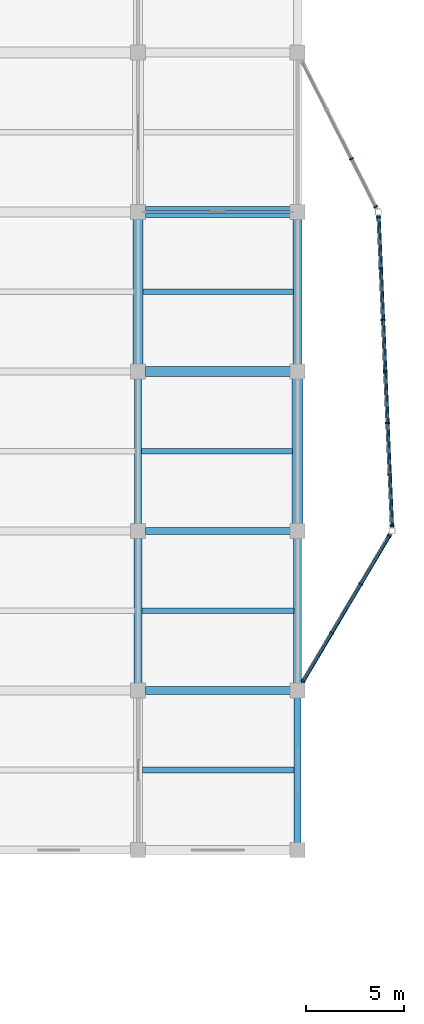
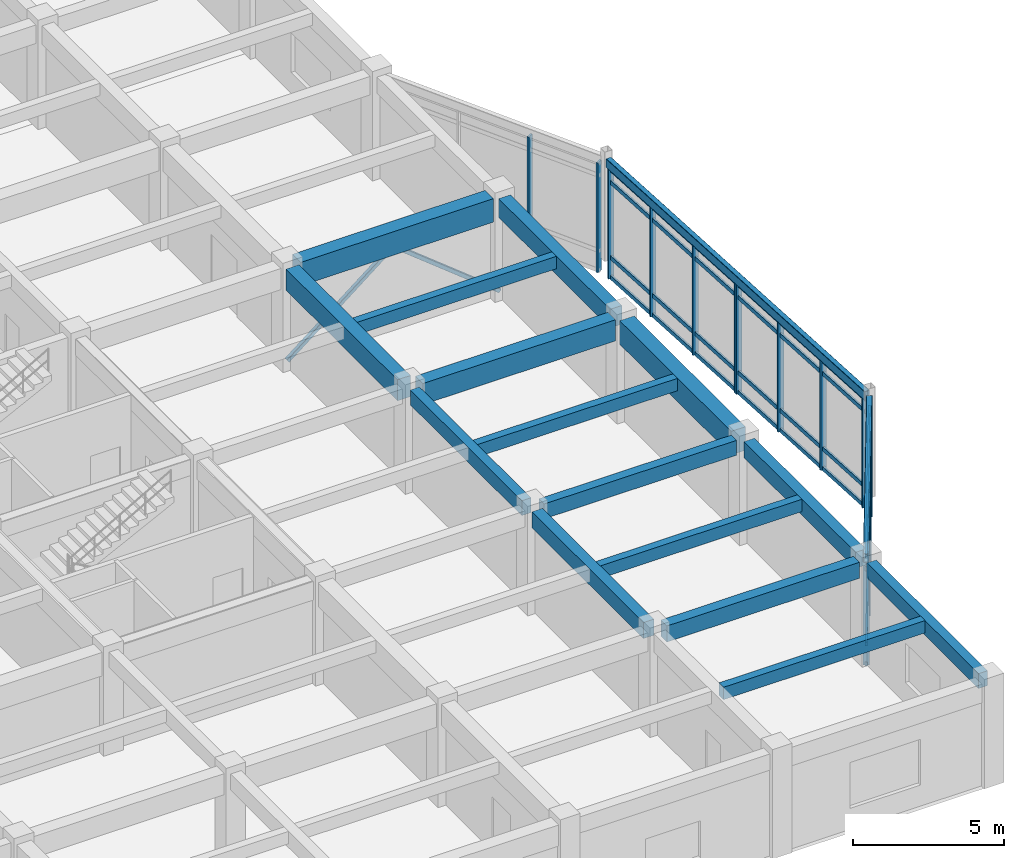
# One storey, part 38 of 89: 28 members, 17 beams, 4 elements without a shape of their own.
"""IFC4 building model written with IfcOpenShell, lengths in metres."""

from ifc_helpers import new_model, si_unit, direction, frame, origin, origin_2d, place, context, subcontext, project, spatial, rectangle, hollow_rectangle, extrude, material, layer, layer_set, material_profile, profile_set, type_object, element, aggregate, save


model = new_model("IFC4")

# Units and contexts
model_context = context("Model", 3, precision=1e-05, world=origin(), true_north=direction((0.0, 1.0)))
body_context = subcontext(model_context, "Body", "Model", "MODEL_VIEW")
ifc_project = project(units=[si_unit("LENGTHUNIT", "METRE"), si_unit("AREAUNIT", "SQUARE_METRE"), si_unit("VOLUMEUNIT", "CUBIC_METRE"), si_unit("PLANEANGLEUNIT", "RADIAN"), si_unit("MASSUNIT", "GRAM", prefix="KILO")], contexts=[model_context])

# Site, building, storey
site_placement = place(None, origin())
site = spatial("IfcSite", under=ifc_project, at=site_placement, CompositionType="ELEMENT")
building_placement = place(site_placement, origin())
building = spatial("IfcBuilding", under=site, at=building_placement, Name="Vaudrelin Polytechnic", CompositionType="ELEMENT")
storey_placement = place(building_placement, frame((0.0, 0.0, 9.68994140625)))
storey = spatial("IfcBuildingStorey", under=building, at=storey_placement, Name="L02", CompositionType="ELEMENT", Elevation=9.68994140625)

# Beams
ifc_material_1 = material(Name="Concrete 40 MPa", Category="concrete")
ifc_material_profile_1 = material_profile(ifc_material_1, rectangle(XDim=0.35009765625, YDim=0.60009765625, at=origin_2d()), Name="RC350x600")
ifc_profile_set_1 = profile_set([ifc_material_profile_1], Name="Concrete 40 MPa")
beam_type_1 = type_object("IfcBeamType", Name="BM-BM-RC3560", PredefinedType="BEAM", material=ifc_profile_set_1)
for number, where, z_axis, x_axis, name in (
    (1, (162.0, 32.760009765625, 3.840087890625), (0.0, 1.0, 0.0), (-1.0, 0.0, 0.0), "L02 Y-beam 21-5"),
    (2, (170.10009765625, 16.56005859375, 3.840087890625), (0.0, 1.0, 0.0), (-1.0, 0.0, 0.0), "L02 Y-beam 22-3"),
):
    element("IfcBeam", number, at=place(storey_placement, frame(where, z_axis=z_axis, x_axis=x_axis)), inside=storey, type_object=beam_type_1, Name=name, PredefinedType="BEAM", context=body_context, shape_type="SweptSolid", body=[
        extrude(rectangle(XDim=0.35009765625, YDim=0.60009765625, at=origin_2d()), origin(), (0.0, 0.0, 1.0), 7.3798828125),
    ])
beam_1_placement = place(storey_placement, frame((162.37109375, 32.39990234375, 3.840087890625), z_axis=(1.0, 0.0, 0.0), x_axis=(0.0, 1.0, 0.0)))
element("IfcBeam", 3, at=beam_1_placement, inside=storey, type_object=beam_type_1, Name="L02 X-beam 21-5", PredefinedType="BEAM", context=body_context, shape_type="SweptSolid", body=[
    extrude(rectangle(XDim=0.35009765625, YDim=0.60009765625, at=origin_2d()), origin(), (0.0, 0.0, 1.0), 7.35791015625),
])
ifc_material_profile_2 = material_profile(ifc_material_1, rectangle(XDim=0.39990234375, YDim=0.64990234375, at=origin_2d()), Name="RC400x650")
ifc_profile_set_2 = profile_set([ifc_material_profile_2], Name="Concrete 40 MPa")
beam_type_2 = type_object("IfcBeamType", Name="BM-BM-RC4065", PredefinedType="BEAM", material=ifc_profile_set_2)
beam_2_placement = place(storey_placement, frame((162.0, 24.659912109375, 3.81494140625), z_axis=(0.0, 1.0, 0.0), x_axis=(-1.0, 0.0, 0.0)))
element("IfcBeam", 4, at=beam_2_placement, inside=storey, type_object=beam_type_2, Name="L02 Y-beam 21-4", PredefinedType="BEAM", context=body_context, shape_type="SweptSolid", body=[
    extrude(rectangle(XDim=0.39990234375, YDim=0.64990234375, at=origin_2d()), origin(), (0.0, 0.0, 1.0), 7.380126953125),
])
beam_3_placement = place(storey_placement, frame((162.37109375, 24.300048828125, 3.81494140625), z_axis=(1.0, 0.0, 0.0), x_axis=(0.0, 1.0, 0.0)))
element("IfcBeam", 5, at=beam_3_placement, inside=storey, type_object=beam_type_2, Name="L02 X-beam 21-4", PredefinedType="BEAM", context=body_context, shape_type="SweptSolid", body=[
    extrude(rectangle(XDim=0.39990234375, YDim=0.64990234375, at=origin_2d()), origin(), (0.0, 0.0, 1.0), 7.35791015625),
])
ifc_material_profile_3 = material_profile(ifc_material_1, rectangle(XDim=0.449951171875, YDim=0.75, at=origin_2d()), Name="RC450x750")
ifc_profile_set_3 = profile_set([ifc_material_profile_3], Name="Concrete 40 MPa")
beam_type_3 = type_object("IfcBeamType", Name="BM-BM-RC4575", PredefinedType="BEAM", material=ifc_profile_set_3)
beam_4_placement = place(storey_placement, frame((170.10009765625, 40.860107421875, 3.76513671875), z_axis=(0.0, 1.0, 0.0), x_axis=(-1.0, 0.0, 0.0)))
element("IfcBeam", 6, at=beam_4_placement, inside=storey, type_object=beam_type_3, Name="L02 Y-beam 22-6", PredefinedType="BEAM", context=body_context, shape_type="SweptSolid", body=[
    extrude(rectangle(XDim=0.449951171875, YDim=0.75, at=origin_2d()), origin(), (0.0, 0.0, 1.0), 7.3798828125),
])
ifc_material_profile_4 = material_profile(ifc_material_1, rectangle(XDim=0.5, YDim=0.85009765625, at=origin_2d()), Name="RC500x850")
ifc_profile_set_4 = profile_set([ifc_material_profile_4], Name="Concrete 40 MPa")
beam_type_4 = type_object("IfcBeamType", Name="BM-BM-RC5085", PredefinedType="BEAM", material=ifc_profile_set_4)
beam_5_placement = place(storey_placement, frame((162.0, 40.860107421875, 3.715087890625), z_axis=(0.0, 1.0, 0.0), x_axis=(-1.0, 0.0, 0.0)))
element("IfcBeam", 7, at=beam_5_placement, inside=storey, type_object=beam_type_4, Name="L02 Y-beam 21-6", PredefinedType="BEAM", context=body_context, shape_type="SweptSolid", body=[
    extrude(rectangle(XDim=0.5, YDim=0.85009765625, at=origin_2d()), origin(), (0.0, 0.0, 1.0), 7.3798828125),
])
beam_6_placement = place(storey_placement, frame((162.37109375, 40.5, 3.715087890625), z_axis=(1.0, 0.0, 0.0), x_axis=(0.0, 1.0, 0.0)))
element("IfcBeam", 8, at=beam_6_placement, inside=storey, type_object=beam_type_4, Name="L02 X-beam 21-6", PredefinedType="BEAM", context=body_context, shape_type="SweptSolid", body=[
    extrude(rectangle(XDim=0.5, YDim=0.85009765625, at=origin_2d()), origin(), (0.0, 0.0, 1.0), 7.35791015625),
])
ifc_material_2 = material(Name="Concrete 50 MPa", Category="concrete")
ifc_material_profile_5 = material_profile(ifc_material_2, rectangle(XDim=0.550048828125, YDim=0.949951171875, at=origin_2d()), Name="RC550x950")
ifc_profile_set_5 = profile_set([ifc_material_profile_5], Name="Concrete 50 MPa")
beam_type_5 = type_object("IfcBeamType", Name="BM-BM-RC5595", PredefinedType="BEAM", material=ifc_profile_set_5)
beam_7_placement = place(storey_placement, frame((170.10009765625, 32.760009765625, 3.6650390625), z_axis=(0.0, 1.0, 0.0), x_axis=(-1.0, 0.0, 0.0)))
element("IfcBeam", 9, at=beam_7_placement, inside=storey, type_object=beam_type_5, Name="L02 Y-beam 22-5", PredefinedType="BEAM", context=body_context, shape_type="SweptSolid", body=[
    extrude(rectangle(XDim=0.550048828125, YDim=0.949951171875, at=origin_2d()), origin(), (0.0, 0.0, 1.0), 7.3798828125),
])
beam_8_placement = place(storey_placement, frame((162.37109375, 48.60009765625, 3.6650390625), z_axis=(1.0, 0.0, 0.0), x_axis=(0.0, 1.0, 0.0)))
element("IfcBeam", 10, at=beam_8_placement, inside=storey, type_object=beam_type_5, Name="L02 X-beam 21-7", PredefinedType="BEAM", context=body_context, shape_type="SweptSolid", body=[
    extrude(rectangle(XDim=0.550048828125, YDim=0.949951171875, at=origin_2d()), origin(), (0.0, 0.0, 1.0), 7.35791015625),
])
ifc_material_profile_6 = material_profile(ifc_material_1, rectangle(XDim=0.300048828125, YDim=0.5, at=origin_2d()), Name="RC300x500")
ifc_profile_set_6 = profile_set([ifc_material_profile_6], Name="Concrete 40 MPa")
beam_type_6 = type_object("IfcBeamType", Name="BM-JS-RC3050", PredefinedType="JOIST", material=ifc_profile_set_6)
for number, where, z_axis, x_axis, name in (
    (11, (162.220947265625, 20.25, 3.89013671875), (1.0, 0.0, 0.0), (0.0, 1.0, 0.0), "L02 floor joist 21-3"),
    (12, (162.196044921875, 28.35009765625, 3.89013671875), (1.0, 0.0, 0.0), (0.0, 1.0, 0.0), "L02 floor joist 21-4"),
):
    element("IfcBeam", number, at=place(storey_placement, frame(where, z_axis=z_axis, x_axis=x_axis)), inside=storey, type_object=beam_type_6, Name=name, PredefinedType="JOIST", context=body_context, shape_type="SweptSolid", body=[
        extrude(rectangle(XDim=0.300048828125, YDim=0.5, at=origin_2d()), origin(), (0.0, 0.0, 1.0), 7.7080078125),
    ])
beam_9_placement = place(storey_placement, frame((162.1708984375, 36.449951171875, 3.89013671875), z_axis=(1.0, 0.0, 0.0), x_axis=(0.0, 1.0, 0.0)))
element("IfcBeam", 13, at=beam_9_placement, inside=storey, type_object=beam_type_6, Name="L02 floor joist 21-5", PredefinedType="JOIST", context=body_context, shape_type="SweptSolid", body=[
    extrude(rectangle(XDim=0.300048828125, YDim=0.5, at=origin_2d()), origin(), (0.0, 0.0, 1.0), 7.658203125),
])
beam_10_placement = place(storey_placement, frame((162.24609375, 44.550048828125, 3.89013671875), z_axis=(1.0, 0.0, 0.0), x_axis=(0.0, 1.0, 0.0)))
element("IfcBeam", 14, at=beam_10_placement, inside=storey, type_object=beam_type_6, Name="L02 floor joist 21-6", PredefinedType="JOIST", context=body_context, shape_type="SweptSolid", body=[
    extrude(rectangle(XDim=0.300048828125, YDim=0.5, at=origin_2d()), origin(), (0.0, 0.0, 1.0), 7.6328125),
])
ifc_material_3 = material(Name="Steel CSA G40.21 350WT", Category="steel")
ifc_material_profile_7 = material_profile(ifc_material_3, hollow_rectangle(XDim=0.202880859375, YDim=0.35595703125, WallThickness=0.0126953125, InnerFilletRadius=0.0126953125, OuterFilletRadius=0.025390625, at=origin_2d()), Name="HSS356x203x12.7")
ifc_profile_set_7 = profile_set([ifc_material_profile_7], Name="Steel CSA G40.21 350WT")
beam_type_7 = type_object("IfcBeamType", Name="BM-SP-HSS35", PredefinedType="SPANDREL", material=ifc_profile_set_7)
beam_11_placement = place(storey_placement, frame((170.17138671875, 24.42041015625, 3.962158203125), z_axis=(0.509799460083, 0.860293270053, 0.0), x_axis=(-0.860293270053, 0.509799460083, 0.0)))
element("IfcBeam", 15, at=beam_11_placement, inside=storey, type_object=beam_type_7, Name="Sculptural edge beam L02 E_OR1_B1", PredefinedType="SPANDREL", context=body_context, shape_type="SweptSolid", body=[
    extrude(hollow_rectangle(XDim=0.202880859375, YDim=0.35595703125, WallThickness=0.0126953125, InnerFilletRadius=0.0126953125, OuterFilletRadius=0.025390625, at=origin_2d()), origin(), (0.0, 0.0, 1.0), 9.135498046875),
])
beam_12_placement = place(storey_placement, frame((174.89404296875, 32.539794921875, 3.962158203125), z_axis=(-0.043173936739, 0.999067570881, 0.0), x_axis=(-0.999067570881, -0.043173936739, 0.0)))
element("IfcBeam", 16, at=beam_12_placement, inside=storey, type_object=beam_type_7, Name="Sculptural edge beam L02 E_OR1_B2", PredefinedType="SPANDREL", context=body_context, shape_type="SweptSolid", body=[
    extrude(hollow_rectangle(XDim=0.202880859375, YDim=0.35595703125, WallThickness=0.0126953125, InnerFilletRadius=0.0126953125, OuterFilletRadius=0.025390625, at=origin_2d()), origin(), (0.0, 0.0, 1.0), 15.935302734375),
])
ifc_material_profile_8 = material_profile(ifc_material_1, rectangle(XDim=0.39990234375, YDim=0.64990234375, at=origin_2d()), Name="RC400x650")
ifc_profile_set_8 = profile_set([ifc_material_profile_8], Name="Concrete 40 MPa")
beam_type_8 = type_object("IfcBeamType", Name="BM-SP-RC4065", PredefinedType="SPANDREL", material=ifc_profile_set_8)
beam_13_placement = place(storey_placement, frame((170.10009765625, 24.659912109375, 3.81494140625), z_axis=(0.0, 1.0, 0.0), x_axis=(-1.0, 0.0, 0.0)))
element("IfcBeam", 17, at=beam_13_placement, inside=storey, type_object=beam_type_8, Name="L02 Y-beam 22-4", PredefinedType="SPANDREL", context=body_context, shape_type="SweptSolid", body=[
    extrude(rectangle(XDim=0.39990234375, YDim=0.64990234375, at=origin_2d()), origin(), (0.0, 0.0, 1.0), 7.380126953125),
])

# Members
ifc_material_4 = material(Name="Steel CSA G40.21 350W", Category="steel")
ifc_material_profile_9 = material_profile(ifc_material_4, hollow_rectangle(XDim=0.152099609375, YDim=0.152099609375, WallThickness=0.008056640625, InnerFilletRadius=0.008056640625, OuterFilletRadius=0.01611328125, at=origin_2d()), Name="HSS152x152x8.0")
ifc_profile_set_9 = profile_set([ifc_material_profile_9], Name="Steel CSA G40.21 350W")
member_type_1 = type_object("IfcMemberType", Name="MEM-BF-D01", PredefinedType="BRACE", material=ifc_profile_set_9)
for number, where, z_axis, x_axis, name in (
    (18, (162.0, 48.60009765625, 0.150146484375), (0.782757244137, 0.0, 0.622327162151), (0.0, 1.0, 0.0), "Chevron brace BF-12A"),
    (19, (170.10009765625, 48.60009765625, 0.150146484375), (-0.782757244137, 0.0, 0.622327162151), (0.0, -1.0, 0.0), "Chevron brace BF-12B"),
):
    element("IfcMember", number, at=place(storey_placement, frame(where, z_axis=z_axis, x_axis=x_axis)), inside=storey, type_object=member_type_1, Name=name, PredefinedType="BRACE", context=body_context, shape_type="SweptSolid", body=[
        extrude(hollow_rectangle(XDim=0.152099609375, YDim=0.152099609375, WallThickness=0.008056640625, InnerFilletRadius=0.008056640625, OuterFilletRadius=0.01611328125, at=origin_2d()), origin(), (0.0, 0.0, 1.0), 5.174072265625),
    ])

# Curtain wall, members
ifc_material_5 = material(Name="Thermally broken anodised aluminium AA 6063-T6 and low-e triple glazing", Category="aluminium")
ifc_layer = layer(ifc_material_5, 0.199951171875)
ifc_layer_set = layer_set([ifc_layer], Name="Thermally broken anodised aluminium AA 6063-T6 and low-e triple glazing")
curtain_wall_type = type_object("IfcCurtainWallType", Name="CW-CW-LAB", PredefinedType="USERDEFINED", material=ifc_layer_set)
curtain_wall_1_placement = place(storey_placement, origin())
curtain_wall_1 = element("IfcCurtainWall", 20, at=curtain_wall_1_placement, inside=storey, type_object=curtain_wall_type, Name="Curtain wall L02 E_OR1_1_0", ObjectType="CURTAIN WALL", PredefinedType="USERDEFINED")
ifc_material_6 = material(Name="Anodised aluminium AA 6063-T6", Category="aluminium")
ifc_material_profile_10 = material_profile(ifc_material_6, rectangle(XDim=0.074951171875, YDim=0.219970703125, at=origin_2d()), Name="CWM-75x220")
ifc_profile_set_10 = profile_set([ifc_material_profile_10], Name="Anodised aluminium AA 6063-T6")
member_type_2 = type_object("IfcMemberType", Name="MEM-CWM-220", PredefinedType="MULLION", material=ifc_profile_set_10)
member_1_placement = place(storey_placement, frame((170.385986328125, 24.782470703125, -0.6298828125), z_axis=(0.0, 0.0, 1.0), x_axis=(0.509796356978, 0.860295108908, 0.0)))
member_1 = element("IfcMember", 21, at=member_1_placement, type_object=member_type_2, Name="E_OR1_1_0 mullion 1", PredefinedType="MULLION", context=body_context, shape_type="SweptSolid", body=[
    extrude(rectangle(XDim=0.074951171875, YDim=0.219970703125, at=origin_2d()), origin(), (0.0, 0.0, 1.0), 4.43994140625),
])
member_2_placement = place(storey_placement, frame((171.83251953125, 27.223388671875, -0.6298828125), z_axis=(0.0, 0.0, 1.0), x_axis=(0.509796356978, 0.860295108908, 0.0)))
member_2 = element("IfcMember", 22, at=member_2_placement, type_object=member_type_2, Name="E_OR1_1_0 mullion 2", PredefinedType="MULLION", context=body_context, shape_type="SweptSolid", body=[
    extrude(rectangle(XDim=0.074951171875, YDim=0.219970703125, at=origin_2d()), origin(), (0.0, 0.0, 1.0), 4.43994140625),
])
member_3_placement = place(storey_placement, frame((173.29931640625, 29.698974609375, -0.6298828125), z_axis=(0.0, 0.0, 1.0), x_axis=(0.509796356978, 0.860295108908, 0.0)))
member_3 = element("IfcMember", 23, at=member_3_placement, type_object=member_type_2, Name="E_OR1_1_0 mullion 3", PredefinedType="MULLION", context=body_context, shape_type="SweptSolid", body=[
    extrude(rectangle(XDim=0.074951171875, YDim=0.219970703125, at=origin_2d()), origin(), (0.0, 0.0, 1.0), 4.43994140625),
])
member_4_placement = place(storey_placement, frame((174.745849609375, 32.139892578125, -0.6298828125), z_axis=(0.0, 0.0, 1.0), x_axis=(0.509796356978, 0.860295108908, 0.0)))
member_4 = element("IfcMember", 24, at=member_4_placement, type_object=member_type_2, Name="E_OR1_1_0 mullion 4", PredefinedType="MULLION", context=body_context, shape_type="SweptSolid", body=[
    extrude(rectangle(XDim=0.074951171875, YDim=0.219970703125, at=origin_2d()), origin(), (0.0, 0.0, 1.0), 4.43994140625),
])

curtain_wall_2_placement = place(storey_placement, origin())
curtain_wall_2 = element("IfcCurtainWall", 25, at=curtain_wall_2_placement, inside=storey, type_object=curtain_wall_type, Name="Curtain wall L02 E_OR1_2_0", ObjectType="CURTAIN WALL", PredefinedType="USERDEFINED")
member_5_placement = place(storey_placement, frame((174.887939453125, 32.677490234375, -0.6298828125), z_axis=(0.0, 0.0, 1.0), x_axis=(-0.043164270821, 0.99906798854, 0.0)))
member_5 = element("IfcMember", 26, at=member_5_placement, type_object=member_type_2, Name="E_OR1_2_0 mullion 1", PredefinedType="MULLION", context=body_context, shape_type="SweptSolid", body=[
    extrude(rectangle(XDim=0.074951171875, YDim=0.219970703125, at=origin_2d()), origin(), (0.0, 0.0, 1.0), 4.43994140625),
])
member_6_placement = place(storey_placement, frame((174.776611328125, 35.25830078125, -0.6298828125), z_axis=(0.0, 0.0, 1.0), x_axis=(-0.043164270821, 0.99906798854, 0.0)))
member_6 = element("IfcMember", 27, at=member_6_placement, type_object=member_type_2, Name="E_OR1_2_0 mullion 2", PredefinedType="MULLION", context=body_context, shape_type="SweptSolid", body=[
    extrude(rectangle(XDim=0.074951171875, YDim=0.219970703125, at=origin_2d()), origin(), (0.0, 0.0, 1.0), 4.43994140625),
])
member_7_placement = place(storey_placement, frame((174.6630859375, 37.879150390625, -0.6298828125), z_axis=(0.0, 0.0, 1.0), x_axis=(-0.043164270821, 0.99906798854, 0.0)))
member_7 = element("IfcMember", 28, at=member_7_placement, type_object=member_type_2, Name="E_OR1_2_0 mullion 3", PredefinedType="MULLION", context=body_context, shape_type="SweptSolid", body=[
    extrude(rectangle(XDim=0.074951171875, YDim=0.219970703125, at=origin_2d()), origin(), (0.0, 0.0, 1.0), 4.43994140625),
])
member_8_placement = place(storey_placement, frame((174.5517578125, 40.4599609375, -0.6298828125), z_axis=(0.0, 0.0, 1.0), x_axis=(-0.043164270821, 0.99906798854, 0.0)))
member_8 = element("IfcMember", 29, at=member_8_placement, type_object=member_type_2, Name="E_OR1_2_0 mullion 4", PredefinedType="MULLION", context=body_context, shape_type="SweptSolid", body=[
    extrude(rectangle(XDim=0.074951171875, YDim=0.219970703125, at=origin_2d()), origin(), (0.0, 0.0, 1.0), 4.43994140625),
])

curtain_wall_3_placement = place(storey_placement, origin())
curtain_wall_3 = element("IfcCurtainWall", 30, at=curtain_wall_3_placement, inside=storey, type_object=curtain_wall_type, Name="Curtain wall L02 E_OR1_2_1", ObjectType="CURTAIN WALL", PredefinedType="USERDEFINED")
member_9_placement = place(storey_placement, frame((174.54833984375, 40.5400390625, -0.6298828125), z_axis=(0.0, 0.0, 1.0), x_axis=(-0.043164270821, 0.99906798854, 0.0)))
member_9 = element("IfcMember", 31, at=member_9_placement, type_object=member_type_2, Name="E_OR1_2_1 mullion 1", PredefinedType="MULLION", context=body_context, shape_type="SweptSolid", body=[
    extrude(rectangle(XDim=0.074951171875, YDim=0.219970703125, at=origin_2d()), origin(), (0.0, 0.0, 1.0), 4.43994140625),
])
member_10_placement = place(storey_placement, frame((174.436767578125, 43.120849609375, -0.6298828125), z_axis=(0.0, 0.0, 1.0), x_axis=(-0.043164270821, 0.99906798854, 0.0)))
member_10 = element("IfcMember", 32, at=member_10_placement, type_object=member_type_2, Name="E_OR1_2_1 mullion 2", PredefinedType="MULLION", context=body_context, shape_type="SweptSolid", body=[
    extrude(rectangle(XDim=0.074951171875, YDim=0.219970703125, at=origin_2d()), origin(), (0.0, 0.0, 1.0), 4.43994140625),
])
member_11_placement = place(storey_placement, frame((174.323486328125, 45.74169921875, -0.6298828125), z_axis=(0.0, 0.0, 1.0), x_axis=(-0.043164270821, 0.99906798854, 0.0)))
member_11 = element("IfcMember", 33, at=member_11_placement, type_object=member_type_2, Name="E_OR1_2_1 mullion 3", PredefinedType="MULLION", context=body_context, shape_type="SweptSolid", body=[
    extrude(rectangle(XDim=0.074951171875, YDim=0.219970703125, at=origin_2d()), origin(), (0.0, 0.0, 1.0), 4.43994140625),
])
member_12_placement = place(storey_placement, frame((174.2119140625, 48.322509765625, -0.6298828125), z_axis=(0.0, 0.0, 1.0), x_axis=(-0.043164270821, 0.99906798854, 0.0)))
member_12 = element("IfcMember", 34, at=member_12_placement, type_object=member_type_2, Name="E_OR1_2_1 mullion 4", PredefinedType="MULLION", context=body_context, shape_type="SweptSolid", body=[
    extrude(rectangle(XDim=0.074951171875, YDim=0.219970703125, at=origin_2d()), origin(), (0.0, 0.0, 1.0), 4.43994140625),
])

curtain_wall_4_placement = place(storey_placement, origin())
curtain_wall_4 = element("IfcCurtainWall", 35, at=curtain_wall_4_placement, inside=storey, type_object=curtain_wall_type, Name="Curtain wall L02 E_OR1_3_0", ObjectType="CURTAIN WALL", PredefinedType="USERDEFINED")
member_13_placement = place(storey_placement, frame((174.06640625, 48.864013671875, -0.6298828125), z_axis=(0.0, 0.0, 1.0), x_axis=(-0.451608607789, 0.892216153951, 0.0)))
member_13 = element("IfcMember", 36, at=member_13_placement, type_object=member_type_2, Name="E_OR1_3_0 mullion 1", PredefinedType="MULLION", context=body_context, shape_type="SweptSolid", body=[
    extrude(rectangle(XDim=0.074951171875, YDim=0.219970703125, at=origin_2d()), origin(), (0.0, 0.0, 1.0), 4.43994140625),
])
member_14_placement = place(storey_placement, frame((172.832275390625, 51.302001953125, -0.6298828125), z_axis=(0.0, 0.0, 1.0), x_axis=(-0.451608607789, 0.892216153951, 0.0)))
member_14 = element("IfcMember", 37, at=member_14_placement, type_object=member_type_2, Name="E_OR1_3_0 mullion 2", PredefinedType="MULLION", context=body_context, shape_type="SweptSolid", body=[
    extrude(rectangle(XDim=0.074951171875, YDim=0.219970703125, at=origin_2d()), origin(), (0.0, 0.0, 1.0), 4.43994140625),
])
aggregate(curtain_wall_4, [member_13, member_14])

# Member
ifc_material_profile_11 = material_profile(ifc_material_6, rectangle(XDim=0.074951171875, YDim=0.1650390625, at=origin_2d()), Name="CWT-75x165")
ifc_profile_set_11 = profile_set([ifc_material_profile_11], Name="Anodised aluminium AA 6063-T6")
member_type_3 = type_object("IfcMemberType", Name="MEM-CWT-165", PredefinedType="USERDEFINED", material=ifc_profile_set_11)
member_15_placement = place(storey_placement, frame((170.365478515625, 24.748046875, -0.579833984375), z_axis=(0.509813243699, 0.860285101899, 0.0), x_axis=(-0.860285101899, 0.509813243699, 0.0)))
member_15 = element("IfcMember", 38, at=member_15_placement, type_object=member_type_3, Name="E_OR1_1_0 transom 1", ObjectType="TRANSOM", PredefinedType="USERDEFINED", context=body_context, shape_type="SweptSolid", body=[
    extrude(rectangle(XDim=0.074951171875, YDim=0.1650390625, at=origin_2d()), origin(), (0.0, 0.0, 1.0), 8.63232421875),
])

member_16_placement = place(storey_placement, frame((170.365478515625, 24.748046875, 0.219970703125), z_axis=(0.509813243699, 0.860285101899, 0.0), x_axis=(-0.860285101899, 0.509813243699, 0.0)))
member_16 = element("IfcMember", 39, at=member_16_placement, type_object=member_type_3, Name="E_OR1_1_0 transom 2", ObjectType="TRANSOM", PredefinedType="USERDEFINED", context=body_context, shape_type="SweptSolid", body=[
    extrude(rectangle(XDim=0.074951171875, YDim=0.1650390625, at=origin_2d()), origin(), (0.0, 0.0, 1.0), 8.63232421875),
])

member_17_placement = place(storey_placement, frame((170.365478515625, 24.748046875, 3.260009765625), z_axis=(0.509813243699, 0.860285101899, 0.0), x_axis=(-0.860285101899, 0.509813243699, 0.0)))
member_17 = element("IfcMember", 40, at=member_17_placement, type_object=member_type_3, Name="E_OR1_1_0 transom 3", ObjectType="TRANSOM", PredefinedType="USERDEFINED", context=body_context, shape_type="SweptSolid", body=[
    extrude(rectangle(XDim=0.074951171875, YDim=0.1650390625, at=origin_2d()), origin(), (0.0, 0.0, 1.0), 8.63232421875),
])

member_18_placement = place(storey_placement, frame((170.365478515625, 24.748046875, 3.760009765625), z_axis=(0.509813243699, 0.860285101899, 0.0), x_axis=(-0.860285101899, 0.509813243699, 0.0)))
member_18 = element("IfcMember", 41, at=member_18_placement, type_object=member_type_3, Name="E_OR1_1_0 transom 4", ObjectType="TRANSOM", PredefinedType="USERDEFINED", context=body_context, shape_type="SweptSolid", body=[
    extrude(rectangle(XDim=0.074951171875, YDim=0.1650390625, at=origin_2d()), origin(), (0.0, 0.0, 1.0), 8.63232421875),
])

aggregate(curtain_wall_1, [member_1, member_2, member_3, member_4, member_15, member_16, member_17, member_18])

member_19_placement = place(storey_placement, frame((174.8896484375, 32.637451171875, -0.579833984375), z_axis=(-0.043151818671, 0.999068526451, 0.0), x_axis=(-0.999068526451, -0.043151818671, 0.0)))
member_19 = element("IfcMember", 42, at=member_19_placement, type_object=member_type_3, Name="E_OR1_2_0 transom 1", ObjectType="TRANSOM", PredefinedType="USERDEFINED", context=body_context, shape_type="SweptSolid", body=[
    extrude(rectangle(XDim=0.074951171875, YDim=0.1650390625, at=origin_2d()), origin(), (0.0, 0.0, 1.0), 7.869873046875),
])

member_20_placement = place(storey_placement, frame((174.8896484375, 32.637451171875, 0.219970703125), z_axis=(-0.043151818671, 0.999068526451, 0.0), x_axis=(-0.999068526451, -0.043151818671, 0.0)))
member_20 = element("IfcMember", 43, at=member_20_placement, type_object=member_type_3, Name="E_OR1_2_0 transom 2", ObjectType="TRANSOM", PredefinedType="USERDEFINED", context=body_context, shape_type="SweptSolid", body=[
    extrude(rectangle(XDim=0.074951171875, YDim=0.1650390625, at=origin_2d()), origin(), (0.0, 0.0, 1.0), 7.869873046875),
])

member_21_placement = place(storey_placement, frame((174.8896484375, 32.637451171875, 3.260009765625), z_axis=(-0.043151818671, 0.999068526451, 0.0), x_axis=(-0.999068526451, -0.043151818671, 0.0)))
member_21 = element("IfcMember", 44, at=member_21_placement, type_object=member_type_3, Name="E_OR1_2_0 transom 3", ObjectType="TRANSOM", PredefinedType="USERDEFINED", context=body_context, shape_type="SweptSolid", body=[
    extrude(rectangle(XDim=0.074951171875, YDim=0.1650390625, at=origin_2d()), origin(), (0.0, 0.0, 1.0), 7.869873046875),
])

member_22_placement = place(storey_placement, frame((174.8896484375, 32.637451171875, 3.760009765625), z_axis=(-0.043151818671, 0.999068526451, 0.0), x_axis=(-0.999068526451, -0.043151818671, 0.0)))
member_22 = element("IfcMember", 45, at=member_22_placement, type_object=member_type_3, Name="E_OR1_2_0 transom 4", ObjectType="TRANSOM", PredefinedType="USERDEFINED", context=body_context, shape_type="SweptSolid", body=[
    extrude(rectangle(XDim=0.074951171875, YDim=0.1650390625, at=origin_2d()), origin(), (0.0, 0.0, 1.0), 7.869873046875),
])

aggregate(curtain_wall_2, [member_5, member_6, member_7, member_8, member_19, member_20, member_21, member_22])

member_23_placement = place(storey_placement, frame((174.550048828125, 40.5, -0.579833984375), z_axis=(-0.043182782999, 0.999067188558, 0.0), x_axis=(-0.999067188558, -0.043182782999, 0.0)))
member_23 = element("IfcMember", 46, at=member_23_placement, type_object=member_type_3, Name="E_OR1_2_1 transom 1", ObjectType="TRANSOM", PredefinedType="USERDEFINED", context=body_context, shape_type="SweptSolid", body=[
    extrude(rectangle(XDim=0.074951171875, YDim=0.1650390625, at=origin_2d()), origin(), (0.0, 0.0, 1.0), 7.869873046875),
])

member_24_placement = place(storey_placement, frame((174.550048828125, 40.5, 0.219970703125), z_axis=(-0.043182782999, 0.999067188558, 0.0), x_axis=(-0.999067188558, -0.043182782999, 0.0)))
member_24 = element("IfcMember", 47, at=member_24_placement, type_object=member_type_3, Name="E_OR1_2_1 transom 2", ObjectType="TRANSOM", PredefinedType="USERDEFINED", context=body_context, shape_type="SweptSolid", body=[
    extrude(rectangle(XDim=0.074951171875, YDim=0.1650390625, at=origin_2d()), origin(), (0.0, 0.0, 1.0), 7.869873046875),
])

member_25_placement = place(storey_placement, frame((174.550048828125, 40.5, 3.260009765625), z_axis=(-0.043182782999, 0.999067188558, 0.0), x_axis=(-0.999067188558, -0.043182782999, 0.0)))
member_25 = element("IfcMember", 48, at=member_25_placement, type_object=member_type_3, Name="E_OR1_2_1 transom 3", ObjectType="TRANSOM", PredefinedType="USERDEFINED", context=body_context, shape_type="SweptSolid", body=[
    extrude(rectangle(XDim=0.074951171875, YDim=0.1650390625, at=origin_2d()), origin(), (0.0, 0.0, 1.0), 7.869873046875),
])

member_26_placement = place(storey_placement, frame((174.550048828125, 40.5, 3.760009765625), z_axis=(-0.043182782999, 0.999067188558, 0.0), x_axis=(-0.999067188558, -0.043182782999, 0.0)))
member_26 = element("IfcMember", 49, at=member_26_placement, type_object=member_type_3, Name="E_OR1_2_1 transom 4", ObjectType="TRANSOM", PredefinedType="USERDEFINED", context=body_context, shape_type="SweptSolid", body=[
    extrude(rectangle(XDim=0.074951171875, YDim=0.1650390625, at=origin_2d()), origin(), (0.0, 0.0, 1.0), 7.869873046875),
])

aggregate(curtain_wall_3, [member_9, member_10, member_11, member_12, member_23, member_24, member_25, member_26])

save(model, "model.ifc")
